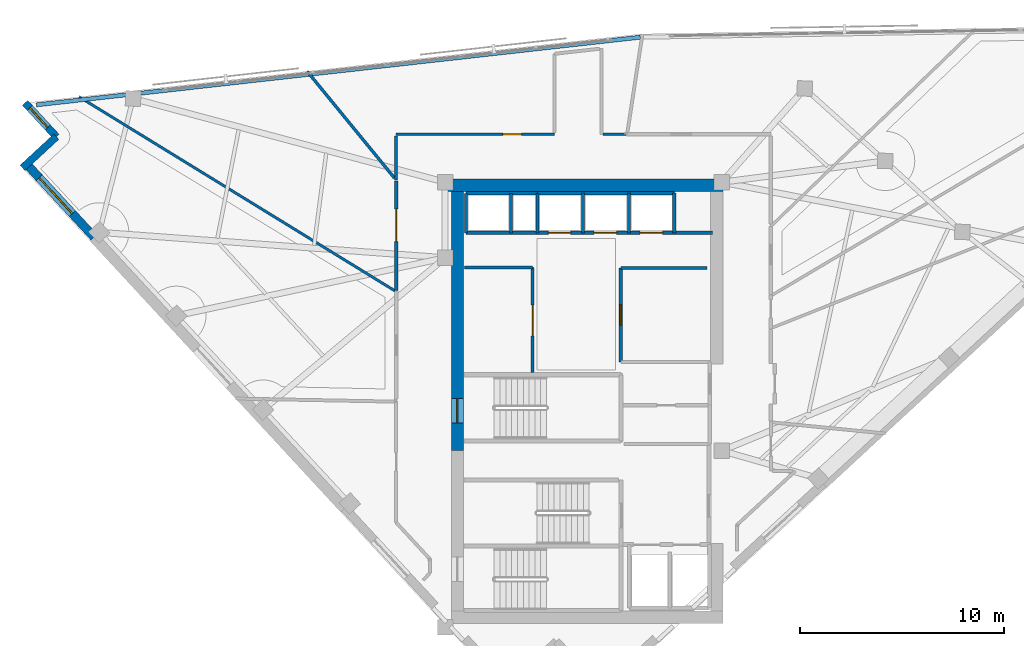
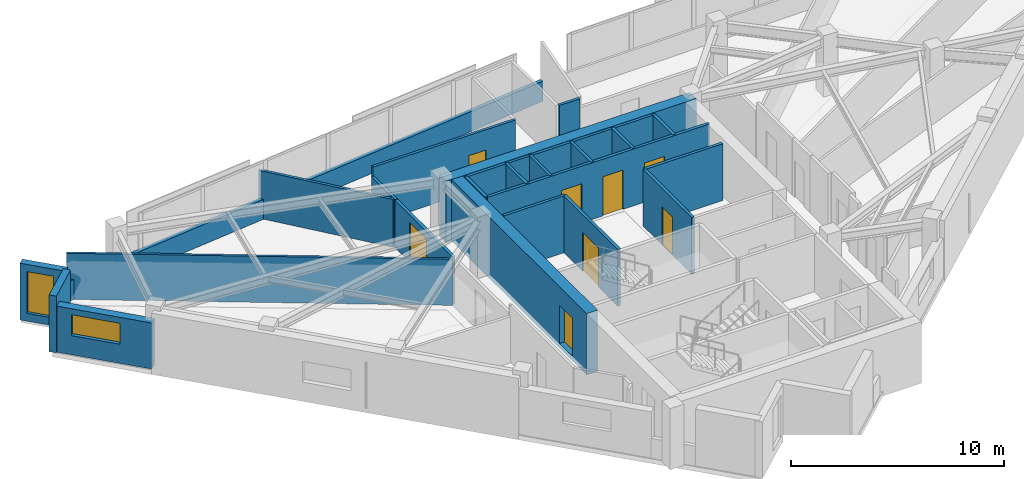
# One storey, part 9 of 13: 26 walls, 8 doors, 2 windows, 10 openings.
"""IFC4 building model written with IfcOpenShell, lengths in metres."""

from ifc_helpers import new_model, si_unit, direction, frame, frame_2d, origin, place, context, subcontext, project, spatial, rectangle, extrude, material, layer, layer_set, type_object, element, fill, save


model = new_model("IFC4")

# Units and contexts
model_context = context("Model", 3, precision=1e-05, world=origin(), true_north=direction((0.0, 1.0)))
body_context = subcontext(model_context, "Body", "Model", "MODEL_VIEW")
ifc_project = project(units=[si_unit("LENGTHUNIT", "METRE"), si_unit("AREAUNIT", "SQUARE_METRE"), si_unit("VOLUMEUNIT", "CUBIC_METRE"), si_unit("PLANEANGLEUNIT", "RADIAN"), si_unit("MASSUNIT", "GRAM", prefix="KILO")], contexts=[model_context])

# Site, building, storey
site_placement = place(None, origin())
site = spatial("IfcSite", under=ifc_project, at=site_placement, CompositionType="ELEMENT")
building_placement = place(site_placement, origin())
building = spatial("IfcBuilding", under=site, at=building_placement, Name="Narakoshi Arena Tower", CompositionType="ELEMENT")
storey_placement = place(building_placement, frame((0.0, 0.0, 274.820068359375)))
storey = spatial("IfcBuildingStorey", under=building, at=storey_placement, Name="L75", CompositionType="ELEMENT", Elevation=274.820068359375)

# Wall, opening, door
ifc_material_1 = material(Name="Concrete C50/60", Category="concrete")
ifc_layer_1 = layer(ifc_material_1, 0.60009765625)
ifc_layer_set_1 = layer_set([ifc_layer_1], Name="Concrete C50/60")
wall_type_1 = type_object("IfcWallType", Name="WL-CORE-600", PredefinedType="SHEAR", material=ifc_layer_set_1)
wall_1_placement = place(storey_placement, frame((72.60009765625, 43.35009765625, -0.260009765625), z_axis=(0.0, 0.0, 1.0), x_axis=(0.0, 1.0, 0.0)))
wall_1 = element("IfcWall", 1, at=wall_1_placement, inside=storey, type_object=wall_type_1, Name="L75 Main Core Shear Wall CW-MN-W", PredefinedType="SHEAR", context=body_context, shape_type="SweptSolid", body=[
    extrude(rectangle(XDim=12.699951171875, YDim=0.60009765625, at=frame_2d((6.35009765625, 0.0))), origin(), (0.0, 0.0, 1.0), 3.52001953125),
])
opening_1_placement = place(wall_1_placement, frame((1.35009765625, 0.0, 0.260009765625)))
opening_1 = element("IfcOpeningElement", 2, at=opening_1_placement, cuts=wall_1, Name="Opening D-03", PredefinedType="OPENING", context=body_context, shape_type="SweptSolid", body=[
    extrude(rectangle(XDim=1.199951171875, YDim=2.199951171875, at=frame_2d((0.60009765625, 1.10009765625))), frame((0.0, 0.31005859375, 0.0), z_axis=(0.0, -1.0, 0.0), x_axis=(1.0, 0.0, 0.0)), (0.0, 0.0, 1.0), 0.6201171875),
])
ifc_material_2 = material(Name="Painted galvanized steel", Category="steel")
door_type_1 = type_object("IfcDoorType", Name="DR-STR-1200", OperationType="NOTDEFINED", PredefinedType="USERDEFINED", material=ifc_material_2)
door_1_placement = place(opening_1_placement, frame((1.199951171875, 0.0, 0.0), z_axis=(0.0, 0.0, 1.0), x_axis=(-1.0, 0.0, 0.0)))
door_1 = element("IfcDoor", 3, at=door_1_placement, inside=storey, type_object=door_type_1, Name="DR-L75-006", ObjectType="EXITDOOR", OperationType="SINGLE_SWING_LEFT", OverallHeight=2.199951171875, OverallWidth=1.199951171875, PredefinedType="USERDEFINED", context=body_context, shape_type="SweptSolid", body=[
    extrude(rectangle(XDim=1.199951171875, YDim=2.199951171875, at=frame_2d((0.60009765625, 1.10009765625))), frame((0.0, 0.02490234375, 0.0), z_axis=(0.0, -1.0, 0.0), x_axis=(1.0, 0.0, 0.0)), (0.0, 0.0, 1.0), 0.050048828125),
])
fill(opening_1, door_1)

# Wall
wall_2_placement = place(storey_placement, frame((72.0, 56.35009765625, -0.260009765625), z_axis=(0.0, 0.0, 1.0), x_axis=(1.0, 0.0, 0.0)))
element("IfcWall", 4, at=wall_2_placement, inside=storey, type_object=wall_type_1, Name="L75 Main Core Shear Wall CW-MN-N", PredefinedType="SHEAR", context=body_context, shape_type="SweptSolid", body=[
    extrude(rectangle(XDim=13.60009765625, YDim=0.60009765625, at=frame_2d((6.800048828125, 0.0))), origin(), (0.0, 0.0, 1.0), 3.52001953125),
])

# Wall, opening, door
ifc_material_3 = material(Name="Gypsum plasterboard fire-rated partition")
ifc_layer_2 = layer(ifc_material_3, 0.1650390625)
ifc_layer_set_2 = layer_set([ifc_layer_2], Name="Gypsum plasterboard fire-rated partition")
wall_type_2 = type_object("IfcWallType", Name="WL-CORR-165", PredefinedType="PARTITIONING", material=ifc_layer_set_2)
wall_3_placement = place(storey_placement, frame((69.60009765625, 56.56494140625, 0.0), z_axis=(0.0, 0.0, 1.0), x_axis=(0.0, -1.0, 0.0)))
wall_3 = element("IfcWall", 5, at=wall_3_placement, inside=storey, type_object=wall_type_2, Name="L75 Corridor Partition 09-1", PredefinedType="PARTITIONING", context=body_context, shape_type="SweptSolid", body=[
    extrude(rectangle(XDim=5.362060546875, YDim=0.1650390625, at=frame_2d((2.68115234375, 0.0))), origin(), (0.0, 0.0, 1.0), 2.744873046875),
])
opening_2_placement = place(wall_3_placement, frame((1.376708984375, 0.0, 0.0)))
opening_2 = element("IfcOpeningElement", 6, at=opening_2_placement, cuts=wall_3, Name="Opening D-05", PredefinedType="OPENING", context=body_context, shape_type="SweptSolid", body=[
    extrude(rectangle(XDim=1.60009765625, YDim=2.300048828125, at=frame_2d((0.800048828125, 1.14990234375))), frame((0.0, 0.092529296875, 0.0), z_axis=(0.0, -1.0, 0.0), x_axis=(1.0, 0.0, 0.0)), (0.0, 0.0, 1.0), 0.18505859375),
])
ifc_material_4 = material(Name="Stained oak solid-core timber", Category="wood")
door_type_2 = type_object("IfcDoorType", Name="DR-STE-1600", OperationType="DOUBLE_DOOR_SINGLE_SWING", PredefinedType="DOOR", material=ifc_material_4)
door_2_placement = place(opening_2_placement, frame((1.60009765625, 0.0, 0.0), z_axis=(0.0, 0.0, 1.0), x_axis=(-1.0, 0.0, 0.0)))
door_2 = element("IfcDoor", 7, at=door_2_placement, inside=storey, type_object=door_type_2, Name="DR-L75-022", OperationType="DOUBLE_DOOR_SINGLE_SWING", OverallHeight=2.300048828125, OverallWidth=1.60009765625, PredefinedType="DOOR", context=body_context, shape_type="SweptSolid", body=[
    extrude(rectangle(XDim=1.60009765625, YDim=2.300048828125, at=frame_2d((0.800048828125, 1.14990234375))), frame((0.0, 0.02490234375, 0.0), z_axis=(0.0, -1.0, 0.0), x_axis=(1.0, 0.0, 0.0)), (0.0, 0.0, 1.0), 0.050048828125),
])
fill(opening_2, door_2)

# Walls
ifc_material_5 = material(Name="Precast concrete C45/55", Category="concrete")
ifc_layer_3 = layer(ifc_material_5, 0.25)
ifc_layer_set_3 = layer_set([ifc_layer_3], Name="Precast concrete C45/55")
wall_type_3 = type_object("IfcWallType", Name="WL-PARA-250", PredefinedType="PARAPET", material=ifc_layer_set_3)
wall_4_placement = place(storey_placement, frame((81.556640625, 63.603759765625, 0.0), z_axis=(0.0, 0.0, 1.0), x_axis=(-0.993776455024, -0.111392806945, 0.0)))
element("IfcWall", 8, at=wall_4_placement, inside=storey, type_object=wall_type_3, Name="L75 Hypotenuse Sill Upstand Parapet 2-01", PredefinedType="PARAPET", context=body_context, shape_type="SweptSolid", body=[
    extrude(rectangle(XDim=24.891357421875, YDim=0.199951171875, at=frame_2d((12.44580078125, 0.0))), origin(), (0.0, 0.0, 1.0), 1.14990234375),
])
wall_5_placement = place(storey_placement, frame((56.565185546875, 60.802490234375, 0.0), z_axis=(0.0, 0.0, 1.0), x_axis=(-0.99377164586, -0.111435702918, 0.0)))
element("IfcWall", 9, at=wall_5_placement, inside=storey, type_object=wall_type_3, Name="L75 Hypotenuse Sill Upstand Parapet 2-02", PredefinedType="PARAPET", context=body_context, shape_type="SweptSolid", body=[
    extrude(rectangle(XDim=4.6162109375, YDim=0.199951171875, at=frame_2d((2.30810546875, 0.0))), origin(), (0.0, 0.0, 1.0), 1.14990234375),
])
ifc_layer_4 = layer(ifc_material_3, 0.125)
ifc_layer_set_4 = layer_set([ifc_layer_4], Name="Gypsum plasterboard fire-rated partition")
wall_type_4 = type_object("IfcWallType", Name="WL-PART-125", PredefinedType="PARTITIONING", material=ifc_layer_set_4)
wall_6_placement = place(storey_placement, frame((54.06884765625, 60.68359375, 0.0), z_axis=(0.0, 0.0, 1.0), x_axis=(0.852073331949, -0.5234224269, 0.0)))
element("IfcWall", 10, at=wall_6_placement, inside=storey, type_object=wall_type_4, Name="L75 Inter-Room Partition 08-09", PredefinedType="PARTITIONING", context=body_context, shape_type="SweptSolid", body=[
    extrude(rectangle(XDim=18.16650390625, YDim=0.125, at=frame_2d((9.083251953125, 0.0))), origin(), (0.0, 0.0, 1.0), 2.64501953125),
])

# Wall, opening, window
ifc_layer_5 = layer(ifc_material_5, 0.419921875)
ifc_layer_set_5 = layer_set([ifc_layer_5], Name="Precast concrete C45/55")
wall_type_5 = type_object("IfcWallType", Name="WL-POD-420", PredefinedType="SOLIDWALL", material=ifc_layer_set_5)
wall_7_placement = place(storey_placement, frame((51.5, 57.38720703125, 0.0), z_axis=(0.0, 0.0, 1.0), x_axis=(0.67880684669, -0.734316869537, 0.0)))
wall_7 = element("IfcWall", 11, at=wall_7_placement, inside=storey, type_object=wall_type_5, Name="L75 Architectural Concrete Facade Wall LEGB-1", PredefinedType="SOLIDWALL", context=body_context, shape_type="SweptSolid", body=[
    extrude(rectangle(XDim=4.86865234375, YDim=0.419921875, at=frame_2d((2.434326171875, 0.0))), origin(), (0.0, 0.0, 1.0), 2.64501953125),
])
opening_3_placement = place(wall_7_placement, frame((0.89990234375, 0.0, 1.10009765625)))
opening_3 = element("IfcOpeningElement", 12, at=opening_3_placement, cuts=wall_7, Name="Opening WN-04", PredefinedType="OPENING", context=body_context, shape_type="SweptSolid", body=[
    extrude(rectangle(XDim=2.39990234375, YDim=1.199951171875, at=frame_2d((1.199951171875, 0.60009765625))), frame((0.0, 0.219970703125, 0.0), z_axis=(0.0, -1.0, 0.0), x_axis=(1.0, 0.0, 0.0)), (0.0, 0.0, 1.0), 0.43994140625),
])
ifc_material_6 = material(Name="Bronze-tinted low-E laminated glass", Category="glass")
window_type_1 = type_object("IfcWindowType", Name="WIN-SLT-24x12", PartitioningType="SINGLE_PANEL", PredefinedType="WINDOW", material=ifc_material_6)
window_1_placement = place(opening_3_placement, origin())
window_1 = element("IfcWindow", 13, at=window_1_placement, inside=storey, type_object=window_type_1, Name="L75 LEGB1 Horizontal Slot Window 1", OverallHeight=1.199951171875, OverallWidth=2.39990234375, PartitioningType="SINGLE_PANEL", PredefinedType="WINDOW", context=body_context, shape_type="SweptSolid", body=[
    extrude(rectangle(XDim=2.39990234375, YDim=1.199951171875, at=frame_2d((1.199951171875, 0.60009765625))), frame((0.0, 0.030029296875, 0.0), z_axis=(0.0, -1.0, 0.0), x_axis=(1.0, 0.0, 0.0)), (0.0, 0.0, 1.0), 0.06005859375),
])
fill(opening_3, window_1)

wall_8_placement = place(storey_placement, frame((51.42333984375, 60.38720703125, 0.0), z_axis=(0.0, 0.0, 1.0), x_axis=(0.678792531533, -0.734330102294, 0.0)))
wall_8 = element("IfcWall", 14, at=wall_8_placement, inside=storey, type_object=wall_type_5, Name="L75 Re-Entrant Corner Notch Wall NTN-1", PredefinedType="SOLIDWALL", context=body_context, shape_type="SweptSolid", body=[
    extrude(rectangle(XDim=2.255126953125, YDim=0.360107421875, at=frame_2d((1.12744140625, 0.0))), origin(), (0.0, 0.0, 1.0), 3.260009765625),
])
opening_4_placement = place(wall_8_placement, frame((0.340087890625, 0.0, 0.449951171875)))
opening_4 = element("IfcOpeningElement", 15, at=opening_4_placement, cuts=wall_8, Name="Opening WN-06", PredefinedType="OPENING", context=body_context, shape_type="SweptSolid", body=[
    extrude(rectangle(XDim=1.300048828125, YDim=2.39990234375, at=frame_2d((0.64990234375, 1.199951171875))), frame((0.0, 0.18994140625, 0.0), z_axis=(0.0, -1.0, 0.0), x_axis=(1.0, 0.0, 0.0)), (0.0, 0.0, 1.0), 0.380126953125),
])
window_type_2 = type_object("IfcWindowType", Name="WIN-NTC-16x24", PartitioningType="SINGLE_PANEL", PredefinedType="WINDOW", material=ifc_material_6)
window_2_placement = place(opening_4_placement, origin())
window_2 = element("IfcWindow", 16, at=window_2_placement, inside=storey, type_object=window_type_2, Name="L75 Corner Notch Window NTN", OverallHeight=2.39990234375, OverallWidth=1.300048828125, PartitioningType="SINGLE_PANEL", PredefinedType="WINDOW", context=body_context, shape_type="SweptSolid", body=[
    extrude(rectangle(XDim=1.300048828125, YDim=2.39990234375, at=frame_2d((0.64990234375, 1.199951171875))), frame((0.0, 0.030029296875, 0.0), z_axis=(0.0, -1.0, 0.0), x_axis=(1.0, 0.0, 0.0)), (0.0, 0.0, 1.0), 0.06005859375),
])
fill(opening_4, window_2)

# Walls
wall_9_placement = place(storey_placement, frame((52.9541015625, 58.731201171875, 0.0), z_axis=(0.0, 0.0, 1.0), x_axis=(-0.734330102294, -0.678792531533, 0.0)))
element("IfcWall", 17, at=wall_9_placement, inside=storey, type_object=wall_type_5, Name="L75 Re-Entrant Corner Notch Wall NTN-2", PredefinedType="SOLIDWALL", context=body_context, shape_type="SweptSolid", body=[
    extrude(rectangle(XDim=2.255126953125, YDim=0.360107421875, at=frame_2d((1.12744140625, 0.0))), origin(), (0.0, 0.0, 1.0), 3.260009765625),
])
ifc_material_7 = material(Name="Concrete C40/50", Category="concrete")
ifc_layer_6 = layer(ifc_material_7, 0.280029296875)
ifc_layer_set_6 = layer_set([ifc_layer_6], Name="Concrete C40/50")
wall_type_6 = type_object("IfcWallType", Name="WL-RISER-280", PredefinedType="PLUMBINGWALL", material=ifc_layer_set_6)
for number, where, z_axis, x_axis, name in (
    (18, (73.02001953125, 54.02001953125, 0.0), (0.0, 0.0, 1.0), (0.0, 1.0, 0.0), "L75 Core Wall OBS-W"),
    (19, (75.219970703125, 54.02001953125, 0.0), (0.0, 0.0, 1.0), (0.0, 1.0, 0.0), "L75 Core Wall OBS-M"),
):
    element("IfcWall", number, at=place(storey_placement, frame(where, z_axis=z_axis, x_axis=x_axis)), inside=storey, type_object=wall_type_6, Name=name, PredefinedType="PLUMBINGWALL", context=body_context, shape_type="SweptSolid", body=[
        extrude(rectangle(XDim=1.93994140625, YDim=0.14990234375, at=frame_2d((0.969970703125, 0.0))), origin(), (0.0, 0.0, 1.0), 3.260009765625),
    ])
for number, where, z_axis, x_axis, name in (
    (20, (78.75, 54.02001953125, 0.0), (0.0, 0.0, 1.0), (0.0, 1.0, 0.0), "L75 Core Wall HR-D1"),
    (21, (81.0, 54.02001953125, 0.0), (0.0, 0.0, 1.0), (0.0, 1.0, 0.0), "L75 Core Wall HR-D2"),
):
    element("IfcWall", number, at=place(storey_placement, frame(where, z_axis=z_axis, x_axis=x_axis)), inside=storey, type_object=wall_type_6, Name=name, PredefinedType="PLUMBINGWALL", context=body_context, shape_type="SweptSolid", body=[
        extrude(rectangle(XDim=1.9599609375, YDim=0.14990234375, at=frame_2d((0.97998046875, 0.0))), origin(), (0.0, 0.0, 1.0), 3.260009765625),
    ])

# Wall, opening, door
ifc_layer_7 = layer(ifc_material_1, 0.35009765625)
ifc_layer_set_7 = layer_set([ifc_layer_7], Name="Concrete C50/60")
wall_type_7 = type_object("IfcWallType", Name="WL-SHAFT-350", PredefinedType="SOLIDWALL", material=ifc_layer_set_7)
wall_10_placement = place(storey_placement, frame((76.280029296875, 47.179931640625, 0.0), z_axis=(0.0, 0.0, 1.0), x_axis=(0.0, 1.0, 0.0)))
wall_10 = element("IfcWall", 22, at=wall_10_placement, inside=storey, type_object=wall_type_7, Name="L75 Core Wall LR-E", PredefinedType="SOLIDWALL", context=body_context, shape_type="SweptSolid", body=[
    extrude(rectangle(XDim=5.14013671875, YDim=0.159912109375, at=frame_2d((2.570068359375, 0.0))), origin(), (0.0, 0.0, 1.0), 3.260009765625),
])
opening_5_placement = place(wall_10_placement, frame((1.800048828125, 0.0, 0.0)))
opening_5 = element("IfcOpeningElement", 23, at=opening_5_placement, cuts=wall_10, Name="Opening D-09", PredefinedType="OPENING", context=body_context, shape_type="SweptSolid", body=[
    extrude(rectangle(XDim=1.5, YDim=2.25, at=frame_2d((0.75, 1.125))), frame((0.0, 0.08984375, 0.0), z_axis=(0.0, -1.0, 0.0), x_axis=(1.0, 0.0, 0.0)), (0.0, 0.0, 1.0), 0.179931640625),
])
door_type_3 = type_object("IfcDoorType", Name="DR-PLT-1500", OperationType="DOUBLE_DOOR_SINGLE_SWING", PredefinedType="DOOR", material=ifc_material_2)
door_3_placement = place(opening_5_placement, frame((1.5, 0.0, 0.0), z_axis=(0.0, 0.0, 1.0), x_axis=(-1.0, 0.0, 0.0)))
door_3 = element("IfcDoor", 24, at=door_3_placement, inside=storey, type_object=door_type_3, Name="DR-L75-009", OperationType="DOUBLE_DOOR_SINGLE_SWING", OverallHeight=2.25, OverallWidth=1.5, PredefinedType="DOOR", context=body_context, shape_type="SweptSolid", body=[
    extrude(rectangle(XDim=1.5, YDim=2.25, at=frame_2d((0.75, 1.125))), frame((0.0, 0.02490234375, 0.0), z_axis=(0.0, -1.0, 0.0), x_axis=(1.0, 0.0, 0.0)), (0.0, 0.0, 1.0), 0.050048828125),
])
fill(opening_5, door_3)

# Wall
wall_11_placement = place(storey_placement, frame((72.949951171875, 52.320068359375, 0.0), z_axis=(0.0, 0.0, 1.0), x_axis=(1.0, 0.0, 0.0)))
element("IfcWall", 25, at=wall_11_placement, inside=storey, type_object=wall_type_7, Name="L75 Core Wall LR-N", PredefinedType="SOLIDWALL", context=body_context, shape_type="SweptSolid", body=[
    extrude(rectangle(XDim=3.330078125, YDim=0.14990234375, at=frame_2d((1.6650390625, 0.0))), origin(), (0.0, 0.0, 1.0), 3.260009765625),
])

# Wall, opening, door
wall_12_placement = place(storey_placement, frame((80.60009765625, 47.699951171875, 0.0), z_axis=(0.0, 0.0, 1.0), x_axis=(0.0, 1.0, 0.0)))
wall_12 = element("IfcWall", 26, at=wall_12_placement, inside=storey, type_object=wall_type_7, Name="L75 Core Wall MR-W", PredefinedType="SOLIDWALL", context=body_context, shape_type="SweptSolid", body=[
    extrude(rectangle(XDim=4.60009765625, YDim=0.159912109375, at=frame_2d((2.300048828125, 0.0))), origin(), (0.0, 0.0, 1.0), 3.260009765625),
])
opening_6_placement = place(wall_12_placement, frame((1.800048828125, 0.0, 0.0)))
opening_6 = element("IfcOpeningElement", 27, at=opening_6_placement, cuts=wall_12, Name="Opening D-06", PredefinedType="OPENING", context=body_context, shape_type="SweptSolid", body=[
    extrude(rectangle(XDim=1.0, YDim=2.199951171875, at=frame_2d((0.5, 1.10009765625))), frame((0.0, 0.08984375, 0.0), z_axis=(0.0, -1.0, 0.0), x_axis=(1.0, 0.0, 0.0)), (0.0, 0.0, 1.0), 0.179931640625),
])
door_type_4 = type_object("IfcDoorType", Name="DR-OFF-1000", OperationType="NOTDEFINED", PredefinedType="DOOR", material=ifc_material_4)
door_4_placement = place(opening_6_placement, origin())
door_4 = element("IfcDoor", 28, at=door_4_placement, inside=storey, type_object=door_type_4, Name="DR-L75-010", OperationType="SINGLE_SWING_LEFT", OverallHeight=2.199951171875, OverallWidth=1.0, PredefinedType="DOOR", context=body_context, shape_type="SweptSolid", body=[
    extrude(rectangle(XDim=1.0, YDim=2.199951171875, at=frame_2d((0.5, 1.10009765625))), frame((0.0, 0.02490234375, 0.0), z_axis=(0.0, -1.0, 0.0), x_axis=(1.0, 0.0, 0.0)), (0.0, 0.0, 1.0), 0.050048828125),
])
fill(opening_6, door_4)

# Wall
wall_13_placement = place(storey_placement, frame((80.60009765625, 52.300048828125, 0.0), z_axis=(0.0, 0.0, 1.0), x_axis=(1.0, 0.0, 0.0)))
element("IfcWall", 29, at=wall_13_placement, inside=storey, type_object=wall_type_7, Name="L75 Core Wall MR-N", PredefinedType="SOLIDWALL", context=body_context, shape_type="SweptSolid", body=[
    extrude(rectangle(XDim=4.219970703125, YDim=0.159912109375, at=frame_2d((2.10986328125, 0.0))), origin(), (0.0, 0.0, 1.0), 3.260009765625),
])

# Wall, openings, doors
wall_14_placement = place(storey_placement, frame((73.02001953125, 54.02001953125, 0.0), z_axis=(0.0, 0.0, 1.0), x_axis=(1.0, 0.0, 0.0)))
wall_14 = element("IfcWall", 30, at=wall_14_placement, inside=storey, type_object=wall_type_7, Name="L75 Core Wall NSHF-S", PredefinedType="SOLIDWALL", context=body_context, shape_type="SweptSolid", body=[
    extrude(rectangle(XDim=12.080078125, YDim=0.159912109375, at=frame_2d((6.0400390625, 0.0))), origin(), (0.0, 0.0, 1.0), 3.260009765625),
])
opening_7_placement = place(wall_14_placement, frame((4.030029296875, 0.0, 0.0)))
opening_7 = element("IfcOpeningElement", 31, at=opening_7_placement, cuts=wall_14, Name="Opening LD-01", PredefinedType="OPENING", context=body_context, shape_type="SweptSolid", body=[
    extrude(rectangle(XDim=1.10009765625, YDim=2.25, at=frame_2d((0.550048828125, 1.125))), frame((0.0, 0.08984375, 0.0), z_axis=(0.0, -1.0, 0.0), x_axis=(1.0, 0.0, 0.0)), (0.0, 0.0, 1.0), 0.179931640625),
])
opening_8_placement = place(wall_14_placement, frame((6.280029296875, 0.0, 0.0)))
opening_8 = element("IfcOpeningElement", 32, at=opening_8_placement, cuts=wall_14, Name="Opening LD-01", PredefinedType="OPENING", context=body_context, shape_type="SweptSolid", body=[
    extrude(rectangle(XDim=1.10009765625, YDim=2.25, at=frame_2d((0.550048828125, 1.125))), frame((0.0, 0.08984375, 0.0), z_axis=(0.0, -1.0, 0.0), x_axis=(1.0, 0.0, 0.0)), (0.0, 0.0, 1.0), 0.179931640625),
])
opening_9_placement = place(wall_14_placement, frame((8.530029296875, 0.0, 0.0)))
opening_9 = element("IfcOpeningElement", 33, at=opening_9_placement, cuts=wall_14, Name="Opening LD-01", PredefinedType="OPENING", context=body_context, shape_type="SweptSolid", body=[
    extrude(rectangle(XDim=1.10009765625, YDim=2.25, at=frame_2d((0.550048828125, 1.125))), frame((0.0, 0.08984375, 0.0), z_axis=(0.0, -1.0, 0.0), x_axis=(1.0, 0.0, 0.0)), (0.0, 0.0, 1.0), 0.179931640625),
])
ifc_material_8 = material(Name="Brushed bronze stainless steel", Category="steel")
door_type_5 = type_object("IfcDoorType", Name="DR-LFT-1100", OperationType="DOUBLE_DOOR_SLIDING", PredefinedType="DOOR", material=ifc_material_8)
door_5_placement = place(opening_7_placement, origin())
door_5 = element("IfcDoor", 34, at=door_5_placement, inside=storey, type_object=door_type_5, Name="DR-L75-011", OperationType="DOUBLE_DOOR_SLIDING", OverallHeight=2.25, OverallWidth=1.10009765625, PredefinedType="DOOR", context=body_context, shape_type="SweptSolid", body=[
    extrude(rectangle(XDim=1.10009765625, YDim=2.25, at=frame_2d((0.550048828125, 1.125))), frame((0.0, 0.02490234375, 0.0), z_axis=(0.0, -1.0, 0.0), x_axis=(1.0, 0.0, 0.0)), (0.0, 0.0, 1.0), 0.050048828125),
])
fill(opening_7, door_5)
door_6_placement = place(opening_8_placement, origin())
door_6 = element("IfcDoor", 35, at=door_6_placement, inside=storey, type_object=door_type_5, Name="DR-L75-012", OperationType="DOUBLE_DOOR_SLIDING", OverallHeight=2.25, OverallWidth=1.10009765625, PredefinedType="DOOR", context=body_context, shape_type="SweptSolid", body=[
    extrude(rectangle(XDim=1.10009765625, YDim=2.25, at=frame_2d((0.550048828125, 1.125))), frame((0.0, 0.02490234375, 0.0), z_axis=(0.0, -1.0, 0.0), x_axis=(1.0, 0.0, 0.0)), (0.0, 0.0, 1.0), 0.050048828125),
])
fill(opening_8, door_6)
door_7_placement = place(opening_9_placement, origin())
door_7 = element("IfcDoor", 36, at=door_7_placement, inside=storey, type_object=door_type_5, Name="DR-L75-013", OperationType="DOUBLE_DOOR_SLIDING", OverallHeight=2.25, OverallWidth=1.10009765625, PredefinedType="DOOR", context=body_context, shape_type="SweptSolid", body=[
    extrude(rectangle(XDim=1.10009765625, YDim=2.25, at=frame_2d((0.550048828125, 1.125))), frame((0.0, 0.02490234375, 0.0), z_axis=(0.0, -1.0, 0.0), x_axis=(1.0, 0.0, 0.0)), (0.0, 0.0, 1.0), 0.050048828125),
])
fill(opening_9, door_7)

# Walls
wall_15_placement = place(storey_placement, frame((73.02001953125, 55.9599609375, 0.0), z_axis=(0.0, 0.0, 1.0), x_axis=(1.0, 0.0, 0.0)))
element("IfcWall", 37, at=wall_15_placement, inside=storey, type_object=wall_type_7, Name="L75 Core Wall OBS-N", PredefinedType="SOLIDWALL", context=body_context, shape_type="SweptSolid", body=[
    extrude(rectangle(XDim=3.5, YDim=0.14990234375, at=frame_2d((1.75, 0.0))), origin(), (0.0, 0.0, 1.0), 3.260009765625),
])
wall_16_placement = place(storey_placement, frame((76.52001953125, 54.02001953125, 0.0), z_axis=(0.0, 0.0, 1.0), x_axis=(0.0, 1.0, 0.0)))
element("IfcWall", 38, at=wall_16_placement, inside=storey, type_object=wall_type_7, Name="L75 Core Wall OBS-E", PredefinedType="SOLIDWALL", context=body_context, shape_type="SweptSolid", body=[
    extrude(rectangle(XDim=1.93994140625, YDim=0.14990234375, at=frame_2d((0.969970703125, 0.0))), origin(), (0.0, 0.0, 1.0), 3.260009765625),
])
wall_17_placement = place(storey_placement, frame((83.219970703125, 54.02001953125, 0.0), z_axis=(0.0, 0.0, 1.0), x_axis=(0.0, 1.0, 0.0)))
element("IfcWall", 39, at=wall_17_placement, inside=storey, type_object=wall_type_7, Name="L75 Core Wall HR-E", PredefinedType="SOLIDWALL", context=body_context, shape_type="SweptSolid", body=[
    extrude(rectangle(XDim=1.9599609375, YDim=0.14990234375, at=frame_2d((0.97998046875, 0.0))), origin(), (0.0, 0.0, 1.0), 3.260009765625),
])
wall_18_placement = place(storey_placement, frame((76.52001953125, 55.9599609375, 0.0), z_axis=(0.0, 0.0, 1.0), x_axis=(1.0, 0.0, 0.0)))
element("IfcWall", 40, at=wall_18_placement, inside=storey, type_object=wall_type_7, Name="L75 Core Wall HR-N", PredefinedType="SOLIDWALL", context=body_context, shape_type="SweptSolid", body=[
    extrude(rectangle(XDim=6.699951171875, YDim=0.14990234375, at=frame_2d((3.35009765625, 0.0))), origin(), (0.0, 0.0, 1.0), 3.260009765625),
])

# Wall, opening, door
ifc_material_9 = material(Name="Moisture-resistant cement-board partition")
ifc_layer_8 = layer(ifc_material_9, 0.14501953125)
ifc_layer_set_8 = layer_set([ifc_layer_8], Name="Moisture-resistant cement-board partition")
wall_type_8 = type_object("IfcWallType", Name="WL-WET-145", PredefinedType="PARTITIONING", material=ifc_layer_set_8)
wall_19_placement = place(storey_placement, frame((77.35009765625, 58.85009765625, 0.0), z_axis=(0.0, 0.0, 1.0), x_axis=(-1.0, 0.0, 0.0)))
wall_19 = element("IfcWall", 41, at=wall_19_placement, inside=storey, type_object=wall_type_8, Name="L75 Corridor Partition 07-1", PredefinedType="PARTITIONING", context=body_context, shape_type="SweptSolid", body=[
    extrude(rectangle(XDim=7.75, YDim=0.14501953125, at=frame_2d((3.875, 0.0))), origin(), (0.0, 0.0, 1.0), 3.260009765625),
])
opening_10_placement = place(wall_19_placement, frame((1.618896484375, 0.0, 0.0)))
opening_10 = element("IfcOpeningElement", 42, at=opening_10_placement, cuts=wall_19, Name="Opening D-08", PredefinedType="OPENING", context=body_context, shape_type="SweptSolid", body=[
    extrude(rectangle(XDim=0.89990234375, YDim=2.10009765625, at=frame_2d((0.449951171875, 1.050048828125))), frame((0.0, 0.08251953125, 0.0), z_axis=(0.0, -1.0, 0.0), x_axis=(1.0, 0.0, 0.0)), (0.0, 0.0, 1.0), 0.1650390625),
])
ifc_material_10 = material(Name="Moisture-resistant laminate timber", Category="wood")
door_type_6 = type_object("IfcDoorType", Name="DR-WC-900", OperationType="NOTDEFINED", PredefinedType="DOOR", material=ifc_material_10)
door_8_placement = place(opening_10_placement, frame((0.89990234375, 0.0, 0.0), z_axis=(0.0, 0.0, 1.0), x_axis=(-1.0, 0.0, 0.0)))
door_8 = element("IfcDoor", 43, at=door_8_placement, inside=storey, type_object=door_type_6, Name="DR-L75-020", OperationType="SINGLE_SWING_RIGHT", OverallHeight=2.10009765625, OverallWidth=0.89990234375, PredefinedType="DOOR", context=body_context, shape_type="SweptSolid", body=[
    extrude(rectangle(XDim=0.89990234375, YDim=2.10009765625, at=frame_2d((0.449951171875, 1.050048828125))), frame((0.0, 0.02490234375, 0.0), z_axis=(0.0, -1.0, 0.0), x_axis=(1.0, 0.0, 0.0)), (0.0, 0.0, 1.0), 0.050048828125),
])
fill(opening_10, door_8)

# Walls
wall_20_placement = place(storey_placement, frame((69.60009765625, 58.765380859375, 0.0), z_axis=(0.0, 0.0, 1.0), x_axis=(0.0, -1.0, 0.0)))
element("IfcWall", 44, at=wall_20_placement, inside=storey, type_object=wall_type_8, Name="L75 Corridor Partition 07-5", PredefinedType="PARTITIONING", context=body_context, shape_type="SweptSolid", body=[
    extrude(rectangle(XDim=2.1630859375, YDim=0.14501953125, at=frame_2d((1.08154296875, 0.0))), origin(), (0.0, 0.0, 1.0), 2.744873046875),
])
wall_21_placement = place(storey_placement, frame((80.850830078125, 58.85009765625, 0.0), z_axis=(0.0, 0.0, 1.0), x_axis=(-1.0, 0.0, 0.0)))
element("IfcWall", 45, at=wall_21_placement, inside=storey, type_object=wall_type_8, Name="L75 Corridor Partition 07-6", PredefinedType="PARTITIONING", context=body_context, shape_type="SweptSolid", body=[
    extrude(rectangle(XDim=1.1162109375, YDim=0.14501953125, at=frame_2d((0.55810546875, 0.0))), origin(), (0.0, 0.0, 1.0), 3.260009765625),
])
wall_22_placement = place(storey_placement, frame((69.515380859375, 56.70556640625, 0.0), z_axis=(0.0, 0.0, 1.0), x_axis=(-0.633149243678, 0.774029737949, 0.0)))
element("IfcWall", 46, at=wall_22_placement, inside=storey, type_object=wall_type_8, Name="L75 Inter-Room Partition 07-09", PredefinedType="PARTITIONING", context=body_context, shape_type="SweptSolid", body=[
    extrude(rectangle(XDim=6.7568359375, YDim=0.14501953125, at=frame_2d((3.37841796875, 0.0))), origin(), (0.0, 0.0, 1.0), 2.744873046875),
])

save(model, "model.ifc")
